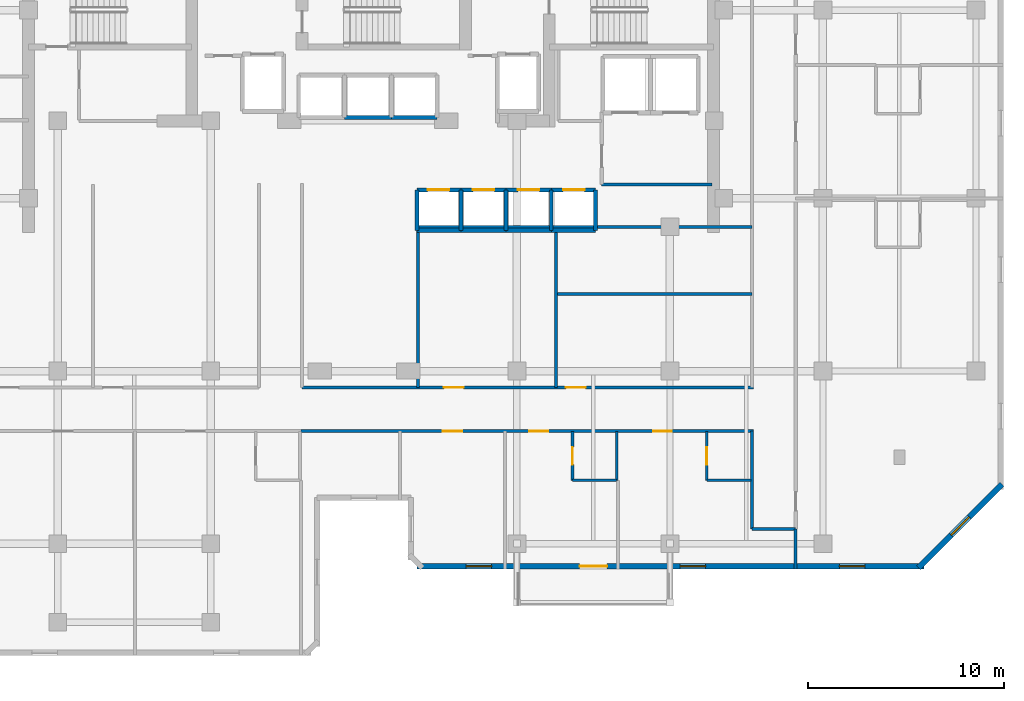
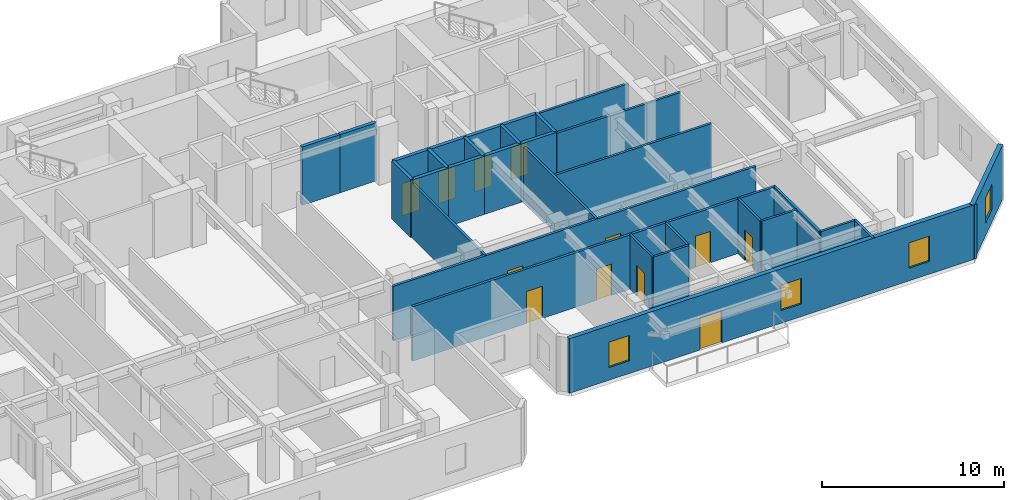
# One storey, part 6 of 11: 32 walls, 12 doors, 4 windows, 16 openings.
"""IFC4 building model written with IfcOpenShell, lengths in metres."""

import ifcopenshell
import ifcopenshell.guid

model = None  # the IFC model being written
_history = None  # IfcOwnerHistory: only IFC2X3 demands one
_inside = {}  # id of a spatial element -> (the spatial element, [elements in it])
_under = {}  # id of a project, library or spatial element -> (it, [spatial elements below it])
_declared = {}  # id of a project -> (the project, [libraries it declares])
_typed = {}  # id of a type object -> (the type object, [elements of that type])
_made_of = {}  # id of a material, layer set ... -> (it, [elements and type objects made of it])


def new_model(schema):
    """Start an empty IFC model of exactly this schema.

    Asked for "IFC4X3", IfcOpenShell would pick the latest addendum, in which some entities
    have other attributes; the version numbers below select the first issue.
    IFC2X3 requires an IfcOwnerHistory on every rooted entity: one is made here for all.
    """
    global model, _history
    if schema == "IFC4X3":
        model = ifcopenshell.file(schema_version=(4, 3, 0, 0))
    else:
        model = ifcopenshell.file(schema=schema)
    _inside.clear()
    _under.clear()
    _declared.clear()
    _typed.clear()
    _made_of.clear()
    _history = None
    if model.schema == "IFC2X3":
        org = make("IfcOrganization", Name="unknown")
        user = make(
            "IfcPersonAndOrganization",
            ThePerson=make("IfcPerson", FamilyName="unknown"),
            TheOrganization=org,
        )
        app = make(
            "IfcApplication",
            ApplicationDeveloper=org,
            Version="unknown",
            ApplicationFullName="unknown",
            ApplicationIdentifier="unknown",
        )
        _history = make(
            "IfcOwnerHistory",
            OwningUser=user,
            OwningApplication=app,
            ChangeAction="ADDED",
            CreationDate=0,
        )
    return model


def make(cls, **values):
    """One entity of the class cls with the attributes given. An attribute that is None is left unset."""
    return model.create_entity(
        cls, **{name: value for name, value in values.items() if value is not None}
    )


def rooted(cls, **values):
    """An entity with a GlobalId (a new one), such as an element, a storey or a relation."""
    return make(cls, GlobalId=ifcopenshell.guid.new(), OwnerHistory=_history, **values)


def si_unit(unit_type, name, prefix=None):
    """IfcSIUnit, for example si_unit("LENGTHUNIT", "METRE", prefix="MILLI")."""
    return make("IfcSIUnit", UnitType=unit_type, Prefix=prefix, Name=name)


def assignment(units):
    """IfcUnitAssignment: the units of a project."""
    return None if units is None else make("IfcUnitAssignment", Units=units)


def point(xyz):
    """IfcCartesianPoint."""
    return None if xyz is None else make("IfcCartesianPoint", Coordinates=xyz)


def direction(xyz):
    """IfcDirection."""
    return None if xyz is None else make("IfcDirection", DirectionRatios=xyz)


def frame(location, z_axis=None, x_axis=None):
    """IfcAxis2Placement3D, a coordinate frame: its origin and axes. An axis left out is left unset."""
    return make(
        "IfcAxis2Placement3D",
        Location=point(location),
        Axis=direction(z_axis),
        RefDirection=direction(x_axis),
    )


def frame_2d(location, x_axis=None):
    """IfcAxis2Placement2D, a coordinate frame in the plane: its origin and x axis."""
    return make(
        "IfcAxis2Placement2D", Location=point(location), RefDirection=direction(x_axis)
    )


def origin():
    """The frame at (0, 0, 0) with its axes left unset."""
    return frame((0.0, 0.0, 0.0))


def place(relative_to, where):
    """IfcLocalPlacement: puts the frame where relative to a parent placement (None: the world)."""
    return make(
        "IfcLocalPlacement", PlacementRelTo=relative_to, RelativePlacement=where
    )


def context(
    kind, dimensions, precision=None, world=None, true_north=None, identifier=None
):
    """IfcGeometricRepresentationContext, for example the 3D "Model" context."""
    return make(
        "IfcGeometricRepresentationContext",
        ContextIdentifier=identifier,
        ContextType=kind,
        CoordinateSpaceDimension=dimensions,
        Precision=precision,
        WorldCoordinateSystem=world,
        TrueNorth=true_north,
    )


def subcontext(parent, identifier, kind, view, scale=None):
    """IfcGeometricRepresentationSubContext, for example "Body" below "Model"."""
    return make(
        "IfcGeometricRepresentationSubContext",
        ContextIdentifier=identifier,
        ContextType=kind,
        ParentContext=parent,
        TargetScale=scale,
        TargetView=view,
    )


def project(units=None, contexts=None):
    """IfcProject with its units and contexts."""
    return rooted(
        "IfcProject",
        Name="project",
        RepresentationContexts=contexts,
        UnitsInContext=assignment(units),
    )


def spatial(cls, under=None, at=None, **own):
    """A site, building, storey or space (cls), placed at a placement, below another one or the project."""
    s = rooted(cls, ObjectPlacement=at, **own)
    if under is not None:
        _under.setdefault(under.id(), (under, []))[1].append(s)
    return s


def profile(cls, at=None, kind="AREA", **sizes):
    """A parametric profile (cls). Its sizes go by their IFC names, for example OverallWidth=200.0."""
    return make(cls, ProfileType=kind, Position=at, **sizes)


def rectangle(**sizes):
    """IfcRectangleProfileDef."""
    return profile("IfcRectangleProfileDef", **sizes)


def extrude(swept, where, along, depth):
    """IfcExtrudedAreaSolid: the profile swept, set in the frame where, extruded along a direction by depth."""
    return make(
        "IfcExtrudedAreaSolid",
        SweptArea=swept,
        Position=where,
        ExtrudedDirection=direction(along),
        Depth=depth,
    )


def shape(context_of_items, identifier, shape_type, items):
    """IfcShapeRepresentation: the items that make up one representation, for example the "Body"."""
    return make(
        "IfcShapeRepresentation",
        ContextOfItems=context_of_items,
        RepresentationIdentifier=identifier,
        RepresentationType=shape_type,
        Items=items,
    )


def material(Name=None, Category=None):
    """IfcMaterial."""
    return make("IfcMaterial", Name=Name, Category=Category)


def layer(
    of_material, thickness, ventilated=None, Name=None, Category=None, Priority=None
):
    """IfcMaterialLayer: one layer of a wall or slab, of a material (None: an air gap)."""
    return make(
        "IfcMaterialLayer",
        Material=of_material,
        LayerThickness=thickness,
        IsVentilated=ventilated,
        Name=Name,
        Category=Category,
        Priority=Priority,
    )


def layer_set(layers, Name=None):
    """IfcMaterialLayerSet."""
    return make("IfcMaterialLayerSet", MaterialLayers=layers, LayerSetName=Name)


def made_of(thing, what):
    """Note that an element or type object is made of a material, layer set ...; save() writes the relation."""
    if what is not None:
        _made_of.setdefault(what.id(), (what, []))[1].append(thing)
    return thing


def type_object(cls, material=None, **own):
    """A type object (cls), such as IfcWallType, which elements share."""
    return made_of(rooted(cls, **own), material)


def element(
    cls,
    number,
    at=None,
    inside=None,
    cuts=None,
    type_object=None,
    material=None,
    context=None,
    identifier="Body",
    shape_type=None,
    held_by="IfcProductDefinitionShape",
    body=None,
    shapes=None,
    **own,
):
    """One element of the class cls, such as IfcWall. Its Tag is "e" and its number.

    at: its placement. inside: the storey or other place that contains it. cuts: it is an
    opening in that element (IfcRelVoidsElement). A single representation is given by context,
    identifier, shape_type and body (its items); several are given by shapes. held_by: the class
    of the entity that holds the representations. save() writes the other relations.
    """
    e = rooted(cls, Tag="e%d" % number, ObjectPlacement=at, **own)
    if body is not None:
        shapes = [shape(context, identifier, shape_type, body)]
    if shapes is not None:
        e.Representation = make(held_by, Representations=shapes)
    if inside is not None:
        _inside.setdefault(inside.id(), (inside, []))[1].append(e)
    if cuts is not None:
        rooted(
            "IfcRelVoidsElement", RelatingBuildingElement=cuts, RelatedOpeningElement=e
        )
    if type_object is not None:
        _typed.setdefault(type_object.id(), (type_object, []))[1].append(e)
    return made_of(e, material)


def fill(opening, filler):
    """IfcRelFillsElement: the door or window that sits in an opening."""
    return rooted(
        "IfcRelFillsElement",
        RelatingOpeningElement=opening,
        RelatedBuildingElement=filler,
    )


def aggregate(whole, parts):
    """IfcRelAggregates: a whole, such as a stair, and the parts it consists of."""
    return rooted("IfcRelAggregates", RelatingObject=whole, RelatedObjects=parts)


def save(model, path):
    """Write the relations noted so far, then the file.

    IfcRelAggregates (storeys below a building ...), IfcRelContainedInSpatialStructure (elements
    in a storey), IfcRelDefinesByType, IfcRelAssociatesMaterial and IfcRelDeclares: one each for
    every whole, place, type object, material and project.
    """
    for whole, parts in _under.values():
        aggregate(whole, parts)
    for where, things in _inside.values():
        rooted(
            "IfcRelContainedInSpatialStructure",
            RelatedElements=things,
            RelatingStructure=where,
        )
    for kind, things in _typed.values():
        rooted("IfcRelDefinesByType", RelatedObjects=things, RelatingType=kind)
    for what, things in _made_of.values():
        rooted("IfcRelAssociatesMaterial", RelatedObjects=things, RelatingMaterial=what)
    for by, libraries in _declared.values():
        rooted("IfcRelDeclares", RelatingContext=by, RelatedDefinitions=libraries)
    model.write(path)


model = new_model("IFC4")

# Units and contexts
model_context = context("Model", 3, precision=1e-05, world=origin(), true_north=direction((0.0, 1.0)))
body_context = subcontext(model_context, "Body", "Model", "MODEL_VIEW")
ifc_project = project(units=[si_unit("LENGTHUNIT", "METRE"), si_unit("AREAUNIT", "SQUARE_METRE"), si_unit("VOLUMEUNIT", "CUBIC_METRE"), si_unit("PLANEANGLEUNIT", "RADIAN"), si_unit("MASSUNIT", "GRAM", prefix="KILO")], contexts=[model_context])

# Site, building, storey
site_placement = place(None, origin())
site = spatial("IfcSite", under=ifc_project, at=site_placement, CompositionType="ELEMENT")
building_placement = place(site_placement, origin())
building = spatial("IfcBuilding", under=site, at=building_placement, Name="Kestravale Grand Hotel", CompositionType="ELEMENT")
storey_placement = place(building_placement, frame((0.0, 0.0, 192.89990234375)))
storey = spatial("IfcBuildingStorey", under=building, at=storey_placement, Name="L48", CompositionType="ELEMENT", Elevation=192.89990234375)

# Wall, openings, door, windows
ifc_material_1 = material(Name="Precast concrete f'c 45 MPa", Category="concrete")
ifc_layer_1 = layer(ifc_material_1, 0.280029296875)
ifc_layer_set_1 = layer_set([ifc_layer_1], Name="EW-PREC-280")
wall_type_1 = type_object("IfcWallType", Name="EW-PREC-280", PredefinedType="SOLIDWALL", material=ifc_layer_set_1)
wall_1_placement = place(storey_placement, frame((41.7099609375, 10.0400390625, 0.0), z_axis=(0.0, 0.0, 1.0), x_axis=(1.0, 0.0, 0.0)))
wall_1 = element("IfcWall", 1, at=wall_1_placement, inside=storey, type_object=wall_type_1, Name="L48 fluted precast facade wall 7", PredefinedType="SOLIDWALL", context=body_context, shape_type="SweptSolid", body=[
    extrude(rectangle(XDim=25.830078125, YDim=0.280029296875, at=frame_2d((12.9150390625, 0.0))), origin(), (0.0, 0.0, 1.0), 3.650146484375),
])
opening_1_placement = place(wall_1_placement, frame((8.2900390625, 0.0, 0.0)))
opening_1 = element("IfcOpeningElement", 2, at=opening_1_placement, cuts=wall_1, Name="Opening D-TERR-1400", PredefinedType="OPENING", context=body_context, shape_type="SweptSolid", body=[
    extrude(rectangle(XDim=1.39990234375, YDim=2.14990234375, at=frame_2d((0.699951171875, 1.074951171875))), frame((0.0, 0.14990234375, 0.0), z_axis=(0.0, -1.0, 0.0), x_axis=(1.0, 0.0, 0.0)), (0.0, 0.0, 1.0), 0.300048828125),
])
opening_2_placement = place(wall_1_placement, frame((2.5048828125, 0.0, 0.85009765625)))
opening_2 = element("IfcOpeningElement", 3, at=opening_2_placement, cuts=wall_1, Name="Opening W-GUEST-1300", PredefinedType="OPENING", context=body_context, shape_type="SweptSolid", body=[
    extrude(rectangle(XDim=1.300048828125, YDim=1.699951171875, at=frame_2d((0.64990234375, 0.85009765625))), frame((0.0, 0.14990234375, 0.0), z_axis=(0.0, -1.0, 0.0), x_axis=(1.0, 0.0, 0.0)), (0.0, 0.0, 1.0), 0.300048828125),
])
opening_3_placement = place(wall_1_placement, frame((13.4150390625, 0.0, 0.85009765625)))
opening_3 = element("IfcOpeningElement", 4, at=opening_3_placement, cuts=wall_1, Name="Opening W-GUEST-1300", PredefinedType="OPENING", context=body_context, shape_type="SweptSolid", body=[
    extrude(rectangle(XDim=1.300048828125, YDim=1.699951171875, at=frame_2d((0.64990234375, 0.85009765625))), frame((0.0, 0.14990234375, 0.0), z_axis=(0.0, -1.0, 0.0), x_axis=(1.0, 0.0, 0.0)), (0.0, 0.0, 1.0), 0.300048828125),
])
opening_4_placement = place(wall_1_placement, frame((21.52490234375, 0.0, 0.85009765625)))
opening_4 = element("IfcOpeningElement", 5, at=opening_4_placement, cuts=wall_1, Name="Opening W-GUEST-1300", PredefinedType="OPENING", context=body_context, shape_type="SweptSolid", body=[
    extrude(rectangle(XDim=1.300048828125, YDim=1.699951171875, at=frame_2d((0.64990234375, 0.85009765625))), frame((0.0, 0.14990234375, 0.0), z_axis=(0.0, -1.0, 0.0), x_axis=(1.0, 0.0, 0.0)), (0.0, 0.0, 1.0), 0.300048828125),
])
ifc_material_2 = material(Name="Insulated glazed champagne-bronze aluminium door", Category="aluminium")
door_type_1 = type_object("IfcDoorType", Name="D-TERR-1400", OperationType="NOTDEFINED", PredefinedType="DOOR", material=ifc_material_2)
door_1_placement = place(opening_1_placement, origin())
door_1 = element("IfcDoor", 6, at=door_1_placement, inside=storey, type_object=door_type_1, Name="L48 outdoor garden terrace door", OperationType="DOUBLE_DOOR_SINGLE_SWING", OverallHeight=2.14990234375, OverallWidth=1.39990234375, PredefinedType="DOOR", context=body_context, shape_type="SweptSolid", body=[
    extrude(rectangle(XDim=1.39990234375, YDim=2.14990234375, at=frame_2d((0.699951171875, 1.074951171875))), frame((0.0, 0.02490234375, 0.0), z_axis=(0.0, -1.0, 0.0), x_axis=(1.0, 0.0, 0.0)), (0.0, 0.0, 1.0), 0.050048828125),
])
fill(opening_1, door_1)
ifc_material_3 = material(Name="Insulated low-E double glazing in aluminium frame", Category="aluminium")
window_type = type_object("IfcWindowType", Name="W-GUEST-1300", PartitioningType="SINGLE_PANEL", PredefinedType="WINDOW", material=ifc_material_3)
window_1_placement = place(opening_2_placement, origin())
window_1 = element("IfcWindow", 7, at=window_1_placement, inside=storey, type_object=window_type, Name="L48 exterior window 7.1", OverallHeight=1.699951171875, OverallWidth=1.300048828125, PartitioningType="SINGLE_PANEL", PredefinedType="WINDOW", context=body_context, shape_type="SweptSolid", body=[
    extrude(rectangle(XDim=1.300048828125, YDim=1.699951171875, at=frame_2d((0.64990234375, 0.85009765625))), frame((0.0, 0.030029296875, 0.0), z_axis=(0.0, -1.0, 0.0), x_axis=(1.0, 0.0, 0.0)), (0.0, 0.0, 1.0), 0.06005859375),
])
fill(opening_2, window_1)
window_2_placement = place(opening_3_placement, origin())
window_2 = element("IfcWindow", 8, at=window_2_placement, inside=storey, type_object=window_type, Name="L48 exterior window 7.2", OverallHeight=1.699951171875, OverallWidth=1.300048828125, PartitioningType="SINGLE_PANEL", PredefinedType="WINDOW", context=body_context, shape_type="SweptSolid", body=[
    extrude(rectangle(XDim=1.300048828125, YDim=1.699951171875, at=frame_2d((0.64990234375, 0.85009765625))), frame((0.0, 0.030029296875, 0.0), z_axis=(0.0, -1.0, 0.0), x_axis=(1.0, 0.0, 0.0)), (0.0, 0.0, 1.0), 0.06005859375),
])
fill(opening_3, window_2)
window_3_placement = place(opening_4_placement, origin())
window_3 = element("IfcWindow", 9, at=window_3_placement, inside=storey, type_object=window_type, Name="L48 exterior window 7.3", OverallHeight=1.699951171875, OverallWidth=1.300048828125, PartitioningType="SINGLE_PANEL", PredefinedType="WINDOW", context=body_context, shape_type="SweptSolid", body=[
    extrude(rectangle(XDim=1.300048828125, YDim=1.699951171875, at=frame_2d((0.64990234375, 0.85009765625))), frame((0.0, 0.030029296875, 0.0), z_axis=(0.0, -1.0, 0.0), x_axis=(1.0, 0.0, 0.0)), (0.0, 0.0, 1.0), 0.06005859375),
])
fill(opening_4, window_3)

# Wall, opening, window
wall_2_placement = place(storey_placement, frame((67.272705078125, 9.970703125, 0.0), z_axis=(0.0, 0.0, 1.0), x_axis=(0.707106781187, 0.707106781187, 0.0)))
wall_2 = element("IfcWall", 10, at=wall_2_placement, inside=storey, type_object=wall_type_1, Name="L48 fluted precast facade wall 8", PredefinedType="SOLIDWALL", context=body_context, shape_type="SweptSolid", body=[
    extrude(rectangle(XDim=6.019775390625, YDim=0.280029296875, at=frame_2d((3.009765625, 0.0))), origin(), (0.0, 0.0, 1.0), 3.650146484375),
])
opening_5_placement = place(wall_2_placement, frame((2.35986328125, 0.0, 0.85009765625)))
opening_5 = element("IfcOpeningElement", 11, at=opening_5_placement, cuts=wall_2, Name="Opening W-GUEST-1300", PredefinedType="OPENING", context=body_context, shape_type="SweptSolid", body=[
    extrude(rectangle(XDim=1.300048828125, YDim=1.699951171875, at=frame_2d((0.64990234375, 0.85009765625))), frame((0.0, 0.14990234375, 0.0), z_axis=(0.0, -1.0, 0.0), x_axis=(1.0, 0.0, 0.0)), (0.0, 0.0, 1.0), 0.300048828125),
])
window_4_placement = place(opening_5_placement, origin())
window_4 = element("IfcWindow", 12, at=window_4_placement, inside=storey, type_object=window_type, Name="L48 exterior window 8.1", OverallHeight=1.699951171875, OverallWidth=1.300048828125, PartitioningType="SINGLE_PANEL", PredefinedType="WINDOW", context=body_context, shape_type="SweptSolid", body=[
    extrude(rectangle(XDim=1.300048828125, YDim=1.699951171875, at=frame_2d((0.64990234375, 0.85009765625))), frame((0.0, 0.030029296875, 0.0), z_axis=(0.0, -1.0, 0.0), x_axis=(1.0, 0.0, 0.0)), (0.0, 0.0, 1.0), 0.06005859375),
])
fill(opening_5, window_4)

# Wall
ifc_material_4 = material(Name="Acoustic fire-rated gypsum board partition", Category="other")
ifc_layer_2 = layer(ifc_material_4, 0.159912109375)
ifc_layer_set_2 = layer_set([ifc_layer_2], Name="IW-CORR-160")
wall_type_2 = type_object("IfcWallType", Name="IW-CORR-160", PredefinedType="PARTITIONING", material=ifc_layer_set_2)
wall_3_placement = place(storey_placement, frame((51.1201171875, 29.5, 0.0), z_axis=(0.0, 0.0, 1.0), x_axis=(1.0, 0.0, 0.0)))
element("IfcWall", 13, at=wall_3_placement, inside=storey, type_object=wall_type_2, Name="L48 service lift lobby wall", PredefinedType="PARTITIONING", context=body_context, shape_type="SweptSolid", body=[
    extrude(rectangle(XDim=5.6298828125, YDim=0.159912109375, at=frame_2d((2.81494140625, 0.0))), origin(), (0.0, 0.0, 1.0), 3.650146484375),
])

# Wall, openings, doors
wall_4_placement = place(storey_placement, frame((35.85009765625, 19.159912109375, 0.0), z_axis=(0.0, 0.0, 1.0), x_axis=(1.0, 0.0, 0.0)))
wall_4 = element("IfcWall", 14, at=wall_4_placement, inside=storey, type_object=wall_type_2, Name="W-L48-CE-N", PredefinedType="PARTITIONING", context=body_context, shape_type="SweptSolid", body=[
    extrude(rectangle(XDim=23.0, YDim=0.159912109375, at=frame_2d((11.5, 0.0))), origin(), (0.0, 0.0, 1.0), 3.650146484375),
])
opening_6_placement = place(wall_4_placement, frame((7.231201171875, 0.0, 0.0)))
opening_6 = element("IfcOpeningElement", 15, at=opening_6_placement, cuts=wall_4, Name="Opening D-GUEST-1000", PredefinedType="OPENING", context=body_context, shape_type="SweptSolid", body=[
    extrude(rectangle(XDim=1.0, YDim=2.14990234375, at=frame_2d((0.5, 1.074951171875))), frame((0.0, 0.08984375, 0.0), z_axis=(0.0, -1.0, 0.0), x_axis=(1.0, 0.0, 0.0)), (0.0, 0.0, 1.0), 0.179931640625),
])
opening_7_placement = place(wall_4_placement, frame((13.449951171875, 0.0, 0.0)))
opening_7 = element("IfcOpeningElement", 16, at=opening_7_placement, cuts=wall_4, Name="Opening D-GUEST-1000", PredefinedType="OPENING", context=body_context, shape_type="SweptSolid", body=[
    extrude(rectangle(XDim=1.0, YDim=2.14990234375, at=frame_2d((0.5, 1.074951171875))), frame((0.0, 0.08984375, 0.0), z_axis=(0.0, -1.0, 0.0), x_axis=(1.0, 0.0, 0.0)), (0.0, 0.0, 1.0), 0.179931640625),
])
ifc_material_5 = material(Name="Accessible walnut veneer hotel entrance fire door", Category="wood")
door_type_2 = type_object("IfcDoorType", Name="D-GUEST-1000", OperationType="NOTDEFINED", PredefinedType="DOOR", material=ifc_material_5)
door_2_placement = place(opening_6_placement, origin())
door_2 = element("IfcDoor", 17, at=door_2_placement, inside=storey, type_object=door_type_2, Name="D-L48-RECL-E1", OperationType="SINGLE_SWING_RIGHT", OverallHeight=2.14990234375, OverallWidth=1.0, PredefinedType="DOOR", context=body_context, shape_type="SweptSolid", body=[
    extrude(rectangle(XDim=1.0, YDim=2.14990234375, at=frame_2d((0.5, 1.074951171875))), frame((0.0, 0.02490234375, 0.0), z_axis=(0.0, -1.0, 0.0), x_axis=(1.0, 0.0, 0.0)), (0.0, 0.0, 1.0), 0.050048828125),
])
fill(opening_6, door_2)
door_3_placement = place(opening_7_placement, origin())
door_3 = element("IfcDoor", 18, at=door_3_placement, inside=storey, type_object=door_type_2, Name="D-L48-RECL-E2", OperationType="SINGLE_SWING_LEFT", OverallHeight=2.14990234375, OverallWidth=1.0, PredefinedType="DOOR", context=body_context, shape_type="SweptSolid", body=[
    extrude(rectangle(XDim=1.0, YDim=2.14990234375, at=frame_2d((0.5, 1.074951171875))), frame((0.0, 0.02490234375, 0.0), z_axis=(0.0, -1.0, 0.0), x_axis=(1.0, 0.0, 0.0)), (0.0, 0.0, 1.0), 0.050048828125),
])
fill(opening_7, door_3)

wall_5_placement = place(storey_placement, frame((35.800048828125, 16.93994140625, 0.0), z_axis=(0.0, 0.0, 1.0), x_axis=(1.0, 0.0, 0.0)))
wall_5 = element("IfcWall", 19, at=wall_5_placement, inside=storey, type_object=wall_type_2, Name="W-L48-CE-S", PredefinedType="PARTITIONING", context=body_context, shape_type="SweptSolid", body=[
    extrude(rectangle(XDim=23.050048828125, YDim=0.159912109375, at=frame_2d((11.52490234375, 0.0))), origin(), (0.0, 0.0, 1.0), 3.650146484375),
])
opening_8_placement = place(wall_5_placement, frame((7.222412109375, 0.0, 0.0)))
opening_8 = element("IfcOpeningElement", 20, at=opening_8_placement, cuts=wall_5, Name="Opening D-GUEST-1000", PredefinedType="OPENING", context=body_context, shape_type="SweptSolid", body=[
    extrude(rectangle(XDim=1.0, YDim=2.14990234375, at=frame_2d((0.5, 1.074951171875))), frame((0.0, 0.08984375, 0.0), z_axis=(0.0, -1.0, 0.0), x_axis=(1.0, 0.0, 0.0)), (0.0, 0.0, 1.0), 0.179931640625),
])
opening_9_placement = place(wall_5_placement, frame((11.638916015625, 0.0, 0.0)))
opening_9 = element("IfcOpeningElement", 21, at=opening_9_placement, cuts=wall_5, Name="Opening D-GUEST-950", PredefinedType="OPENING", context=body_context, shape_type="SweptSolid", body=[
    extrude(rectangle(XDim=0.949951171875, YDim=2.10009765625, at=frame_2d((0.47509765625, 1.050048828125))), frame((0.0, 0.08984375, 0.0), z_axis=(0.0, -1.0, 0.0), x_axis=(1.0, 0.0, 0.0)), (0.0, 0.0, 1.0), 0.179931640625),
])
opening_10_placement = place(wall_5_placement, frame((17.936279296875, 0.0, 0.0)))
opening_10 = element("IfcOpeningElement", 22, at=opening_10_placement, cuts=wall_5, Name="Opening D-GUEST-950", PredefinedType="OPENING", context=body_context, shape_type="SweptSolid", body=[
    extrude(rectangle(XDim=0.949951171875, YDim=2.10009765625, at=frame_2d((0.47509765625, 1.050048828125))), frame((0.0, 0.08984375, 0.0), z_axis=(0.0, -1.0, 0.0), x_axis=(1.0, 0.0, 0.0)), (0.0, 0.0, 1.0), 0.179931640625),
])
door_4_placement = place(opening_8_placement, origin())
door_4 = element("IfcDoor", 23, at=door_4_placement, inside=storey, type_object=door_type_2, Name="D-L48-AME", OperationType="SINGLE_SWING_LEFT", OverallHeight=2.14990234375, OverallWidth=1.0, PredefinedType="DOOR", context=body_context, shape_type="SweptSolid", body=[
    extrude(rectangle(XDim=1.0, YDim=2.14990234375, at=frame_2d((0.5, 1.074951171875))), frame((0.0, 0.02490234375, 0.0), z_axis=(0.0, -1.0, 0.0), x_axis=(1.0, 0.0, 0.0)), (0.0, 0.0, 1.0), 0.050048828125),
])
fill(opening_8, door_4)
ifc_material_6 = material(Name="Walnut veneer hotel guestroom entrance fire door", Category="wood")
door_type_3 = type_object("IfcDoorType", Name="D-GUEST-950", OperationType="NOTDEFINED", PredefinedType="DOOR", material=ifc_material_6)
door_5_placement = place(opening_9_placement, origin())
door_5 = element("IfcDoor", 24, at=door_5_placement, inside=storey, type_object=door_type_3, Name="D-L48-U02-ENT", OperationType="SINGLE_SWING_LEFT", OverallHeight=2.10009765625, OverallWidth=0.949951171875, PredefinedType="DOOR", context=body_context, shape_type="SweptSolid", body=[
    extrude(rectangle(XDim=0.949951171875, YDim=2.10009765625, at=frame_2d((0.47509765625, 1.050048828125))), frame((0.0, 0.02490234375, 0.0), z_axis=(0.0, -1.0, 0.0), x_axis=(1.0, 0.0, 0.0)), (0.0, 0.0, 1.0), 0.050048828125),
])
fill(opening_9, door_5)
door_6_placement = place(opening_10_placement, origin())
door_6 = element("IfcDoor", 25, at=door_6_placement, inside=storey, type_object=door_type_3, Name="D-L48-U03-ENT", OperationType="SINGLE_SWING_LEFT", OverallHeight=2.10009765625, OverallWidth=0.949951171875, PredefinedType="DOOR", context=body_context, shape_type="SweptSolid", body=[
    extrude(rectangle(XDim=0.949951171875, YDim=2.10009765625, at=frame_2d((0.47509765625, 1.050048828125))), frame((0.0, 0.02490234375, 0.0), z_axis=(0.0, -1.0, 0.0), x_axis=(1.0, 0.0, 0.0)), (0.0, 0.0, 1.0), 0.050048828125),
])
fill(opening_10, door_6)

# Wall
wall_6_placement = place(storey_placement, frame((58.7900390625, 11.949951171875, 0.0), z_axis=(0.0, 0.0, 1.0), x_axis=(0.0, 1.0, 0.0)))
element("IfcWall", 26, at=wall_6_placement, inside=storey, type_object=wall_type_2, Name="W-L48-SE-W", PredefinedType="PARTITIONING", context=body_context, shape_type="SweptSolid", body=[
    extrude(rectangle(XDim=4.989990234375, YDim=0.159912109375, at=frame_2d((2.4951171875, 0.0))), origin(), (0.0, 0.0, 1.0), 3.650146484375),
])

# Wall, opening, door
ifc_material_7 = material(Name="Moisture-resistant tile-backer plumbing chase wall", Category="other")
ifc_layer_3 = layer(ifc_material_7, 0.139892578125)
ifc_layer_set_3 = layer_set([ifc_layer_3], Name="IW-PLB-140")
wall_type_3 = type_object("IfcWallType", Name="IW-PLB-140", PredefinedType="PLUMBINGWALL", material=ifc_layer_set_3)
wall_7_placement = place(storey_placement, frame((49.632568359375, 14.429931640625, 0.0), z_axis=(0.0, 0.0, 1.0), x_axis=(0.0, 1.0, 0.0)))
wall_7 = element("IfcWall", 27, at=wall_7_placement, inside=storey, type_object=wall_type_3, Name="W-L48-U02-BW", PredefinedType="PLUMBINGWALL", context=body_context, shape_type="SweptSolid", body=[
    extrude(rectangle(XDim=2.489990234375, YDim=0.139892578125, at=frame_2d((1.2451171875, 0.0))), origin(), (0.0, 0.0, 1.0), 3.650146484375),
])
opening_11_placement = place(wall_7_placement, frame((0.804931640625, 0.0, 0.0)))
opening_11 = element("IfcOpeningElement", 28, at=opening_11_placement, cuts=wall_7, Name="Opening D-BATH-880", PredefinedType="OPENING", context=body_context, shape_type="SweptSolid", body=[
    extrude(rectangle(XDim=0.8798828125, YDim=2.050048828125, at=frame_2d((0.43994140625, 1.02490234375))), frame((0.0, 0.079833984375, 0.0), z_axis=(0.0, -1.0, 0.0), x_axis=(1.0, 0.0, 0.0)), (0.0, 0.0, 1.0), 0.159912109375),
])
ifc_material_8 = material(Name="Moisture-sealed walnut en-suite bathroom door", Category="wood")
door_type_4 = type_object("IfcDoorType", Name="D-BATH-880", OperationType="NOTDEFINED", PredefinedType="DOOR", material=ifc_material_8)
door_7_placement = place(opening_11_placement, origin())
door_7 = element("IfcDoor", 29, at=door_7_placement, inside=storey, type_object=door_type_4, Name="D-L48-U02-BATH", OperationType="SINGLE_SWING_RIGHT", OverallHeight=2.050048828125, OverallWidth=0.8798828125, PredefinedType="DOOR", context=body_context, shape_type="SweptSolid", body=[
    extrude(rectangle(XDim=0.8798828125, YDim=2.050048828125, at=frame_2d((0.43994140625, 1.02490234375))), frame((0.0, 0.02490234375, 0.0), z_axis=(0.0, -1.0, 0.0), x_axis=(1.0, 0.0, 0.0)), (0.0, 0.0, 1.0), 0.050048828125),
])
fill(opening_11, door_7)

# Walls
wall_8_placement = place(storey_placement, frame((51.882568359375, 14.429931640625, 0.0), z_axis=(0.0, 0.0, 1.0), x_axis=(0.0, 1.0, 0.0)))
element("IfcWall", 30, at=wall_8_placement, inside=storey, type_object=wall_type_3, Name="W-L48-U02-BE", PredefinedType="PLUMBINGWALL", context=body_context, shape_type="SweptSolid", body=[
    extrude(rectangle(XDim=2.489990234375, YDim=0.139892578125, at=frame_2d((1.2451171875, 0.0))), origin(), (0.0, 0.0, 1.0), 3.650146484375),
])
wall_9_placement = place(storey_placement, frame((49.632568359375, 14.429931640625, 0.0), z_axis=(0.0, 0.0, 1.0), x_axis=(1.0, 0.0, 0.0)))
element("IfcWall", 31, at=wall_9_placement, inside=storey, type_object=wall_type_3, Name="W-L48-U02-BS", PredefinedType="PLUMBINGWALL", context=body_context, shape_type="SweptSolid", body=[
    extrude(rectangle(XDim=2.25, YDim=0.139892578125, at=frame_2d((1.125, 0.0))), origin(), (0.0, 0.0, 1.0), 3.650146484375),
])

# Wall, opening, door
wall_10_placement = place(storey_placement, frame((56.47998046875, 14.429931640625, 0.0), z_axis=(0.0, 0.0, 1.0), x_axis=(0.0, 1.0, 0.0)))
wall_10 = element("IfcWall", 32, at=wall_10_placement, inside=storey, type_object=wall_type_3, Name="W-L48-U03-BW", PredefinedType="PLUMBINGWALL", context=body_context, shape_type="SweptSolid", body=[
    extrude(rectangle(XDim=2.489990234375, YDim=0.139892578125, at=frame_2d((1.2451171875, 0.0))), origin(), (0.0, 0.0, 1.0), 3.650146484375),
])
opening_12_placement = place(wall_10_placement, frame((0.804931640625, 0.0, 0.0)))
opening_12 = element("IfcOpeningElement", 33, at=opening_12_placement, cuts=wall_10, Name="Opening D-BATH-880", PredefinedType="OPENING", context=body_context, shape_type="SweptSolid", body=[
    extrude(rectangle(XDim=0.8798828125, YDim=2.050048828125, at=frame_2d((0.43994140625, 1.02490234375))), frame((0.0, 0.079833984375, 0.0), z_axis=(0.0, -1.0, 0.0), x_axis=(1.0, 0.0, 0.0)), (0.0, 0.0, 1.0), 0.159912109375),
])
door_8_placement = place(opening_12_placement, origin())
door_8 = element("IfcDoor", 34, at=door_8_placement, inside=storey, type_object=door_type_4, Name="D-L48-U03-BATH", OperationType="SINGLE_SWING_RIGHT", OverallHeight=2.050048828125, OverallWidth=0.8798828125, PredefinedType="DOOR", context=body_context, shape_type="SweptSolid", body=[
    extrude(rectangle(XDim=0.8798828125, YDim=2.050048828125, at=frame_2d((0.43994140625, 1.02490234375))), frame((0.0, 0.02490234375, 0.0), z_axis=(0.0, -1.0, 0.0), x_axis=(1.0, 0.0, 0.0)), (0.0, 0.0, 1.0), 0.050048828125),
])
fill(opening_12, door_8)

# Walls
wall_11_placement = place(storey_placement, frame((56.47998046875, 14.429931640625, 0.0), z_axis=(0.0, 0.0, 1.0), x_axis=(1.0, 0.0, 0.0)))
element("IfcWall", 35, at=wall_11_placement, inside=storey, type_object=wall_type_3, Name="W-L48-U03-BS", PredefinedType="PLUMBINGWALL", context=body_context, shape_type="SweptSolid", body=[
    extrude(rectangle(XDim=2.25, YDim=0.139892578125, at=frame_2d((1.125, 0.0))), origin(), (0.0, 0.0, 1.0), 3.650146484375),
])
ifc_material_9 = material(Name="Concrete f'c 45 MPa", Category="concrete")
ifc_layer_4 = layer(ifc_material_9, 0.199951171875)
ifc_layer_set_4 = layer_set([ifc_layer_4], Name="IW-SHAFT-200")
wall_type_4 = type_object("IfcWallType", Name="IW-SHAFT-200", PredefinedType="SHEAR", material=ifc_layer_set_4)
for number, where, z_axis, x_axis, name in (
    (36, (41.705078125, 27.169921875, 0.0), (0.0, 0.0, 1.0), (0.0, 1.0, 0.0), "L48 PL-M1 west shaft wall"),
    (37, (43.949951171875, 27.169921875, 0.0), (0.0, 0.0, 1.0), (0.0, 1.0, 0.0), "L48 PL-M2 west shaft wall"),
    (38, (46.25, 27.169921875, 0.0), (0.0, 0.0, 1.0), (0.0, 1.0, 0.0), "L48 PL-M3 west shaft wall"),
    (39, (48.550048828125, 27.169921875, 0.0), (0.0, 0.0, 1.0), (0.0, 1.0, 0.0), "L48 PL-M4 west shaft wall"),
    (40, (50.794921875, 27.169921875, 0.0), (0.0, 0.0, 1.0), (0.0, 1.0, 0.0), "L48 PL-M4 east shaft wall"),
):
    element("IfcWall", number, at=place(storey_placement, frame(where, z_axis=z_axis, x_axis=x_axis)), inside=storey, type_object=wall_type_4, Name=name, PredefinedType="SHEAR", context=body_context, shape_type="SweptSolid", body=[
        extrude(rectangle(XDim=2.06005859375, YDim=0.199951171875, at=frame_2d((1.030029296875, 0.0))), origin(), (0.0, 0.0, 1.0), 3.900146484375),
    ])

# Wall, opening, door
ifc_material_10 = material(Name="Concrete f'c 45 MPa", Category="concrete")
ifc_layer_5 = layer(ifc_material_10, 0.219970703125)
ifc_layer_set_5 = layer_set([ifc_layer_5], Name="IW-SHAFT-220")
wall_type_5 = type_object("IfcWallType", Name="IW-SHAFT-220", PredefinedType="SHEAR", material=ifc_layer_set_5)
wall_12_placement = place(storey_placement, frame((41.705078125, 29.22998046875, 0.0), z_axis=(0.0, 0.0, 1.0), x_axis=(1.0, 0.0, 0.0)))
wall_12 = element("IfcWall", 41, at=wall_12_placement, inside=storey, type_object=wall_type_5, Name="L48 PL-M1 north shaft wall", PredefinedType="SHEAR", context=body_context, shape_type="SweptSolid", body=[
    extrude(rectangle(XDim=2.244873046875, YDim=0.219970703125, at=frame_2d((1.12255859375, 0.0))), origin(), (0.0, 0.0, 1.0), 3.900146484375),
])
opening_13_placement = place(wall_12_placement, frame((0.544921875, 0.0, 0.0)))
opening_13 = element("IfcOpeningElement", 42, at=opening_13_placement, cuts=wall_12, Name="Opening LD-PAX-1100", PredefinedType="OPENING", context=body_context, shape_type="SweptSolid", body=[
    extrude(rectangle(XDim=1.10009765625, YDim=2.14990234375, at=frame_2d((0.550048828125, 1.074951171875))), frame((0.0, 0.119873046875, 0.0), z_axis=(0.0, -1.0, 0.0), x_axis=(1.0, 0.0, 0.0)), (0.0, 0.0, 1.0), 0.239990234375),
])
ifc_material_11 = material(Name="Champagne-bronze center-opening sliding elevator landing door", Category="steel")
door_type_5 = type_object("IfcDoorType", Name="LD-PAX-1100", OperationType="NOTDEFINED", PredefinedType="DOOR", material=ifc_material_11)
door_9_placement = place(opening_13_placement, origin())
door_9 = element("IfcDoor", 43, at=door_9_placement, inside=storey, type_object=door_type_5, Name="L48 PL-M1 elevator landing sliding door", OperationType="DOUBLE_DOOR_SLIDING", OverallHeight=2.14990234375, OverallWidth=1.10009765625, PredefinedType="DOOR", context=body_context, shape_type="SweptSolid", body=[
    extrude(rectangle(XDim=1.10009765625, YDim=2.14990234375, at=frame_2d((0.550048828125, 1.074951171875))), frame((0.0, 0.02490234375, 0.0), z_axis=(0.0, -1.0, 0.0), x_axis=(1.0, 0.0, 0.0)), (0.0, 0.0, 1.0), 0.050048828125),
])
fill(opening_13, door_9)

# Wall
wall_13_placement = place(storey_placement, frame((41.705078125, 27.169921875, 0.0), z_axis=(0.0, 0.0, 1.0), x_axis=(1.0, 0.0, 0.0)))
element("IfcWall", 44, at=wall_13_placement, inside=storey, type_object=wall_type_5, Name="L48 PL-M1 south shaft wall", PredefinedType="SHEAR", context=body_context, shape_type="SweptSolid", body=[
    extrude(rectangle(XDim=2.244873046875, YDim=0.219970703125, at=frame_2d((1.12255859375, 0.0))), origin(), (0.0, 0.0, 1.0), 3.900146484375),
])

# Wall, opening, door
wall_14_placement = place(storey_placement, frame((43.949951171875, 29.22998046875, 0.0), z_axis=(0.0, 0.0, 1.0), x_axis=(1.0, 0.0, 0.0)))
wall_14 = element("IfcWall", 45, at=wall_14_placement, inside=storey, type_object=wall_type_5, Name="L48 PL-M2 north shaft wall", PredefinedType="SHEAR", context=body_context, shape_type="SweptSolid", body=[
    extrude(rectangle(XDim=2.300048828125, YDim=0.219970703125, at=frame_2d((1.14990234375, 0.0))), origin(), (0.0, 0.0, 1.0), 3.900146484375),
])
opening_14_placement = place(wall_14_placement, frame((0.60009765625, 0.0, 0.0)))
opening_14 = element("IfcOpeningElement", 46, at=opening_14_placement, cuts=wall_14, Name="Opening LD-PAX-1100", PredefinedType="OPENING", context=body_context, shape_type="SweptSolid", body=[
    extrude(rectangle(XDim=1.10009765625, YDim=2.14990234375, at=frame_2d((0.550048828125, 1.074951171875))), frame((0.0, 0.119873046875, 0.0), z_axis=(0.0, -1.0, 0.0), x_axis=(1.0, 0.0, 0.0)), (0.0, 0.0, 1.0), 0.239990234375),
])
door_10_placement = place(opening_14_placement, origin())
door_10 = element("IfcDoor", 47, at=door_10_placement, inside=storey, type_object=door_type_5, Name="L48 PL-M2 elevator landing sliding door", OperationType="DOUBLE_DOOR_SLIDING", OverallHeight=2.14990234375, OverallWidth=1.10009765625, PredefinedType="DOOR", context=body_context, shape_type="SweptSolid", body=[
    extrude(rectangle(XDim=1.10009765625, YDim=2.14990234375, at=frame_2d((0.550048828125, 1.074951171875))), frame((0.0, 0.02490234375, 0.0), z_axis=(0.0, -1.0, 0.0), x_axis=(1.0, 0.0, 0.0)), (0.0, 0.0, 1.0), 0.050048828125),
])
fill(opening_14, door_10)

# Wall
wall_15_placement = place(storey_placement, frame((43.949951171875, 27.169921875, 0.0), z_axis=(0.0, 0.0, 1.0), x_axis=(1.0, 0.0, 0.0)))
element("IfcWall", 48, at=wall_15_placement, inside=storey, type_object=wall_type_5, Name="L48 PL-M2 south shaft wall", PredefinedType="SHEAR", context=body_context, shape_type="SweptSolid", body=[
    extrude(rectangle(XDim=2.300048828125, YDim=0.219970703125, at=frame_2d((1.14990234375, 0.0))), origin(), (0.0, 0.0, 1.0), 3.900146484375),
])

# Wall, opening, door
wall_16_placement = place(storey_placement, frame((46.25, 29.22998046875, 0.0), z_axis=(0.0, 0.0, 1.0), x_axis=(1.0, 0.0, 0.0)))
wall_16 = element("IfcWall", 49, at=wall_16_placement, inside=storey, type_object=wall_type_5, Name="L48 PL-M3 north shaft wall", PredefinedType="SHEAR", context=body_context, shape_type="SweptSolid", body=[
    extrude(rectangle(XDim=2.300048828125, YDim=0.219970703125, at=frame_2d((1.14990234375, 0.0))), origin(), (0.0, 0.0, 1.0), 3.900146484375),
])
opening_15_placement = place(wall_16_placement, frame((0.60009765625, 0.0, 0.0)))
opening_15 = element("IfcOpeningElement", 50, at=opening_15_placement, cuts=wall_16, Name="Opening LD-PAX-1100", PredefinedType="OPENING", context=body_context, shape_type="SweptSolid", body=[
    extrude(rectangle(XDim=1.10009765625, YDim=2.14990234375, at=frame_2d((0.550048828125, 1.074951171875))), frame((0.0, 0.119873046875, 0.0), z_axis=(0.0, -1.0, 0.0), x_axis=(1.0, 0.0, 0.0)), (0.0, 0.0, 1.0), 0.239990234375),
])
door_11_placement = place(opening_15_placement, origin())
door_11 = element("IfcDoor", 51, at=door_11_placement, inside=storey, type_object=door_type_5, Name="L48 PL-M3 elevator landing sliding door", OperationType="DOUBLE_DOOR_SLIDING", OverallHeight=2.14990234375, OverallWidth=1.10009765625, PredefinedType="DOOR", context=body_context, shape_type="SweptSolid", body=[
    extrude(rectangle(XDim=1.10009765625, YDim=2.14990234375, at=frame_2d((0.550048828125, 1.074951171875))), frame((0.0, 0.02490234375, 0.0), z_axis=(0.0, -1.0, 0.0), x_axis=(1.0, 0.0, 0.0)), (0.0, 0.0, 1.0), 0.050048828125),
])
fill(opening_15, door_11)

# Wall
wall_17_placement = place(storey_placement, frame((46.25, 27.169921875, 0.0), z_axis=(0.0, 0.0, 1.0), x_axis=(1.0, 0.0, 0.0)))
element("IfcWall", 52, at=wall_17_placement, inside=storey, type_object=wall_type_5, Name="L48 PL-M3 south shaft wall", PredefinedType="SHEAR", context=body_context, shape_type="SweptSolid", body=[
    extrude(rectangle(XDim=2.300048828125, YDim=0.219970703125, at=frame_2d((1.14990234375, 0.0))), origin(), (0.0, 0.0, 1.0), 3.900146484375),
])

# Wall, opening, door
wall_18_placement = place(storey_placement, frame((48.550048828125, 29.22998046875, 0.0), z_axis=(0.0, 0.0, 1.0), x_axis=(1.0, 0.0, 0.0)))
wall_18 = element("IfcWall", 53, at=wall_18_placement, inside=storey, type_object=wall_type_5, Name="L48 PL-M4 north shaft wall", PredefinedType="SHEAR", context=body_context, shape_type="SweptSolid", body=[
    extrude(rectangle(XDim=2.244873046875, YDim=0.219970703125, at=frame_2d((1.12255859375, 0.0))), origin(), (0.0, 0.0, 1.0), 3.900146484375),
])
opening_16_placement = place(wall_18_placement, frame((0.60009765625, 0.0, 0.0)))
opening_16 = element("IfcOpeningElement", 54, at=opening_16_placement, cuts=wall_18, Name="Opening LD-PAX-1100", PredefinedType="OPENING", context=body_context, shape_type="SweptSolid", body=[
    extrude(rectangle(XDim=1.10009765625, YDim=2.14990234375, at=frame_2d((0.550048828125, 1.074951171875))), frame((0.0, 0.119873046875, 0.0), z_axis=(0.0, -1.0, 0.0), x_axis=(1.0, 0.0, 0.0)), (0.0, 0.0, 1.0), 0.239990234375),
])
door_12_placement = place(opening_16_placement, origin())
door_12 = element("IfcDoor", 55, at=door_12_placement, inside=storey, type_object=door_type_5, Name="L48 PL-M4 elevator landing sliding door", OperationType="DOUBLE_DOOR_SLIDING", OverallHeight=2.14990234375, OverallWidth=1.10009765625, PredefinedType="DOOR", context=body_context, shape_type="SweptSolid", body=[
    extrude(rectangle(XDim=1.10009765625, YDim=2.14990234375, at=frame_2d((0.550048828125, 1.074951171875))), frame((0.0, 0.02490234375, 0.0), z_axis=(0.0, -1.0, 0.0), x_axis=(1.0, 0.0, 0.0)), (0.0, 0.0, 1.0), 0.050048828125),
])
fill(opening_16, door_12)

# Walls
wall_19_placement = place(storey_placement, frame((48.550048828125, 27.169921875, 0.0), z_axis=(0.0, 0.0, 1.0), x_axis=(1.0, 0.0, 0.0)))
element("IfcWall", 56, at=wall_19_placement, inside=storey, type_object=wall_type_5, Name="L48 PL-M4 south shaft wall", PredefinedType="SHEAR", context=body_context, shape_type="SweptSolid", body=[
    extrude(rectangle(XDim=2.244873046875, YDim=0.219970703125, at=frame_2d((1.12255859375, 0.0))), origin(), (0.0, 0.0, 1.0), 3.900146484375),
])
wall_20_placement = place(storey_placement, frame((38.0, 32.919921875, 0.0), z_axis=(0.0, 0.0, 1.0), x_axis=(1.0, 0.0, 0.0)))
element("IfcWall", 57, at=wall_20_placement, inside=storey, type_object=wall_type_5, Name="L48 PL-X2 south shaft wall", PredefinedType="SHEAR", context=body_context, shape_type="SweptSolid", body=[
    extrude(rectangle(XDim=2.39990234375, YDim=0.219970703125, at=frame_2d((1.199951171875, 0.0))), origin(), (0.0, 0.0, 1.0), 3.900146484375),
])
wall_21_placement = place(storey_placement, frame((40.39990234375, 32.919921875, 0.0), z_axis=(0.0, 0.0, 1.0), x_axis=(1.0, 0.0, 0.0)))
element("IfcWall", 58, at=wall_21_placement, inside=storey, type_object=wall_type_5, Name="L48 PL-X3 south shaft wall", PredefinedType="SHEAR", context=body_context, shape_type="SweptSolid", body=[
    extrude(rectangle(XDim=2.320068359375, YDim=0.219970703125, at=frame_2d((1.16015625, 0.0))), origin(), (0.0, 0.0, 1.0), 3.900146484375),
])
ifc_material_12 = material(Name="Double-stud STC 52 acoustic demising partition", Category="other")
ifc_layer_6 = layer(ifc_material_12, 0.14990234375)
ifc_layer_set_6 = layer_set([ifc_layer_6], Name="IW-UNIT-150")
wall_type_6 = type_object("IfcWallType", Name="IW-UNIT-150", PredefinedType="PARTITIONING", material=ifc_layer_set_6)
wall_22_placement = place(storey_placement, frame((58.7900390625, 11.949951171875, 0.0), z_axis=(0.0, 0.0, 1.0), x_axis=(1.0, 0.0, 0.0)))
element("IfcWall", 59, at=wall_22_placement, inside=storey, type_object=wall_type_6, Name="W-L48-SE-S", PredefinedType="PARTITIONING", context=body_context, shape_type="SweptSolid", body=[
    extrude(rectangle(XDim=2.219970703125, YDim=0.14990234375, at=frame_2d((1.10986328125, 0.0))), origin(), (0.0, 0.0, 1.0), 3.650146484375),
])
wall_23_placement = place(storey_placement, frame((41.75, 19.159912109375, 0.0), z_axis=(0.0, 0.0, 1.0), x_axis=(0.0, 1.0, 0.0)))
element("IfcWall", 60, at=wall_23_placement, inside=storey, type_object=wall_type_6, Name="W-L48-RCLE-W", PredefinedType="PARTITIONING", context=body_context, shape_type="SweptSolid", body=[
    extrude(rectangle(XDim=8.010009765625, YDim=0.14990234375, at=frame_2d((4.0048828125, 0.0))), origin(), (0.0, 0.0, 1.0), 3.650146484375),
])
wall_24_placement = place(storey_placement, frame((48.800048828125, 19.159912109375, 0.0), z_axis=(0.0, 0.0, 1.0), x_axis=(0.0, 1.0, 0.0)))
element("IfcWall", 61, at=wall_24_placement, inside=storey, type_object=wall_type_6, Name="W-L48-RCLE-M", PredefinedType="PARTITIONING", context=body_context, shape_type="SweptSolid", body=[
    extrude(rectangle(XDim=7.989990234375, YDim=0.14990234375, at=frame_2d((3.9951171875, 0.0))), origin(), (0.0, 0.0, 1.0), 3.650146484375),
])
wall_25_placement = place(storey_placement, frame((41.75, 27.35009765625, 0.0), z_axis=(0.0, 0.0, 1.0), x_axis=(1.0, 0.0, 0.0)))
element("IfcWall", 62, at=wall_25_placement, inside=storey, type_object=wall_type_6, Name="W-L48-RCLE-N", PredefinedType="PARTITIONING", context=body_context, shape_type="SweptSolid", body=[
    extrude(rectangle(XDim=17.0400390625, YDim=0.14990234375, at=frame_2d((8.52001953125, 0.0))), origin(), (0.0, 0.0, 1.0), 3.650146484375),
])
wall_26_placement = place(storey_placement, frame((48.800048828125, 23.919921875, 0.0), z_axis=(0.0, 0.0, 1.0), x_axis=(1.0, 0.0, 0.0)))
element("IfcWall", 63, at=wall_26_placement, inside=storey, type_object=wall_type_6, Name="W-L48-RCLE-H", PredefinedType="PARTITIONING", context=body_context, shape_type="SweptSolid", body=[
    extrude(rectangle(XDim=9.989990234375, YDim=0.14990234375, at=frame_2d((4.9951171875, 0.0))), origin(), (0.0, 0.0, 1.0), 3.650146484375),
])
wall_27_placement = place(storey_placement, frame((61.010009765625, 9.919921875, 0.0), z_axis=(0.0, 0.0, 1.0), x_axis=(0.0, 1.0, 0.0)))
element("IfcWall", 64, at=wall_27_placement, inside=storey, type_object=wall_type_6, Name="W-L48-SE-EXT", PredefinedType="PARTITIONING", context=body_context, shape_type="SweptSolid", body=[
    extrude(rectangle(XDim=2.030029296875, YDim=0.14990234375, at=frame_2d((1.01513671875, 0.0))), origin(), (0.0, 0.0, 1.0), 3.650146484375),
])

save(model, "model.ifc")
